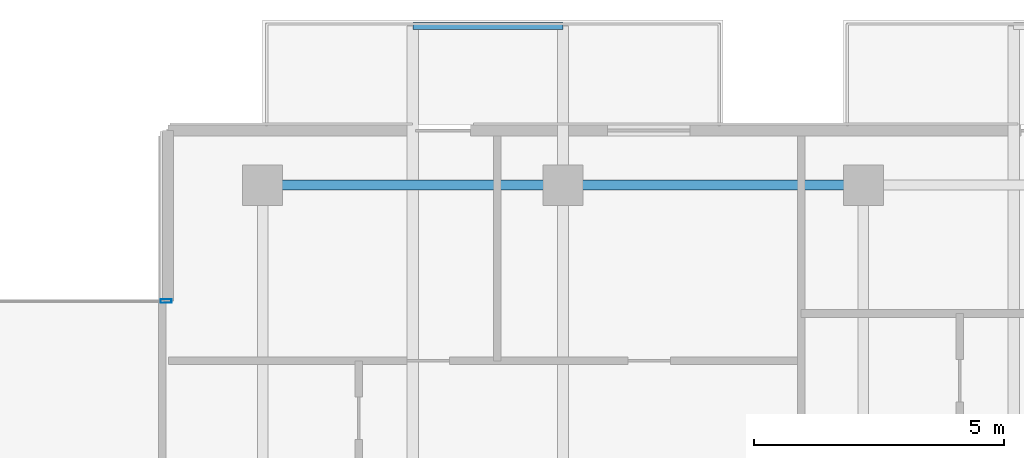
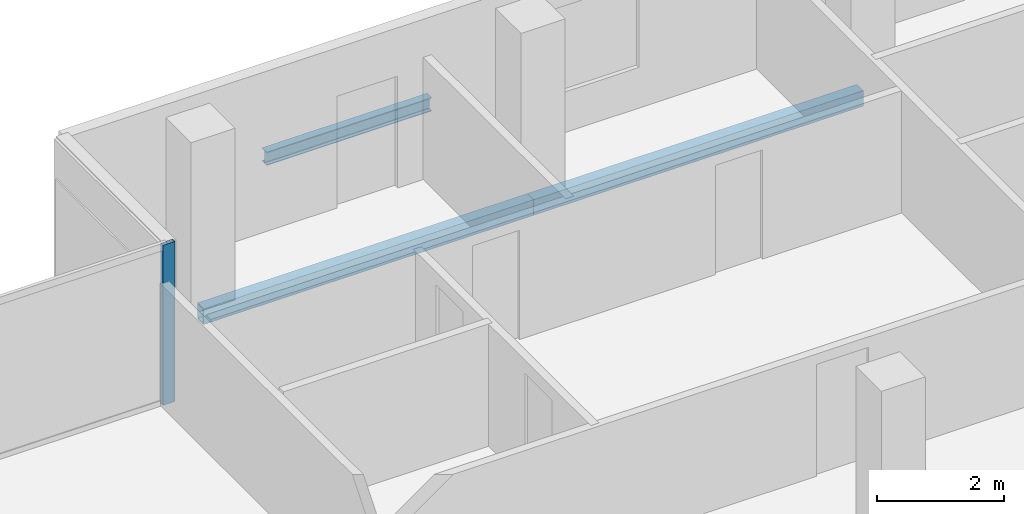
# One storey, part 12 of 28: 3 beams, 1 member, 1 element without a shape of its own.
"""IFC4 building model written with IfcOpenShell, lengths in metres."""

from ifc_helpers import new_model, si_unit, direction, frame, origin, origin_2d, place, context, subcontext, project, spatial, hollow_rectangle, i_section, extrude, material, layer, layer_set, material_profile, profile_set, type_object, element, aggregate, save


model = new_model("IFC4")

# Units and contexts
model_context = context("Model", 3, precision=1e-05, world=origin(), true_north=direction((0.0, 1.0)))
body_context = subcontext(model_context, "Body", "Model", "MODEL_VIEW")
ifc_project = project(units=[si_unit("LENGTHUNIT", "METRE"), si_unit("AREAUNIT", "SQUARE_METRE"), si_unit("VOLUMEUNIT", "CUBIC_METRE"), si_unit("PLANEANGLEUNIT", "RADIAN"), si_unit("MASSUNIT", "GRAM", prefix="KILO")], contexts=[model_context])

# Site, building, storey
site_placement = place(None, origin())
site = spatial("IfcSite", under=ifc_project, at=site_placement, CompositionType="ELEMENT")
building_placement = place(site_placement, origin())
building = spatial("IfcBuilding", under=site, at=building_placement, Name="Tanjung Sevakor Pilgrim Tower", CompositionType="ELEMENT")
storey_placement = place(building_placement, frame((0.0, 0.0, 185.1298828125)))
storey = spatial("IfcBuildingStorey", under=building, at=storey_placement, Name="L51", CompositionType="ELEMENT", Elevation=185.1298828125)

# Beams
ifc_material_1 = material(Name="Steel S355J2", Category="steel")
ifc_material_profile_1 = material_profile(ifc_material_1, i_section(OverallWidth=0.146484375, OverallDepth=0.256103515625, WebThickness=0.00634765625, FlangeThickness=0.010986328125, FilletRadius=0.007568359375, at=origin_2d()))
ifc_profile_set_1 = profile_set([ifc_material_profile_1], Name="Steel S355J2")
beam_type_1 = type_object("IfcBeamType", Name="BM-B-J6-UB_254x146x37", PredefinedType="JOIST", material=ifc_profile_set_1)
beam_placement = place(storey_placement, frame((57.0, 57.1298828125, -0.327880859375), z_axis=(1.0, 0.0, 0.0), x_axis=(0.0, 1.0, 0.0)))
element("IfcBeam", 1, at=beam_placement, inside=storey, type_object=beam_type_1, Name="L51 Balcony Rim Tie MAIN-N2", PredefinedType="JOIST", context=body_context, shape_type="SweptSolid", body=[
    extrude(i_section(OverallWidth=0.146484375, OverallDepth=0.256103515625, WebThickness=0.00634765625, FlangeThickness=0.010986328125, FilletRadius=0.007568359375, at=origin_2d()), origin(), (0.0, 0.0, 1.0), 3.0),
])
ifc_material_2 = material(Name="Steel S355J2", Category="steel")
ifc_material_profile_2 = material_profile(ifc_material_2, hollow_rectangle(XDim=0.199951171875, YDim=0.300048828125, WallThickness=0.012451171875, at=origin_2d()))
ifc_profile_set_2 = profile_set([ifc_material_profile_2], Name="Steel S355J2")
beam_type_2 = type_object("IfcBeamType", Name="BM-B-SP3-RHS_300x200x12.5", PredefinedType="SPANDREL", material=ifc_profile_set_2)
for number, where, z_axis, x_axis, name in (
    (2, (54.0, 53.949951171875, -0.369873046875), (1.0, 0.0, 0.0), (0.0, 1.0, 0.0), "L51 Spandrel MAIN N-06"),
    (3, (60.0, 53.949951171875, -0.369873046875), (1.0, 0.0, 0.0), (0.0, 1.0, 0.0), "L51 Spandrel MAIN N-08"),
):
    element("IfcBeam", number, at=place(storey_placement, frame(where, z_axis=z_axis, x_axis=x_axis)), inside=storey, type_object=beam_type_2, Name=name, PredefinedType="SPANDREL", context=body_context, shape_type="SweptSolid", body=[
        extrude(hollow_rectangle(XDim=0.199951171875, YDim=0.300048828125, WallThickness=0.012451171875, at=origin_2d()), origin(), (0.0, 0.0, 1.0), 6.0),
    ])

# Curtain wall, member
ifc_material_3 = material(Name="Aluminium 6063-T6 and Low-E Glass", Category="aluminium")
ifc_layer = layer(ifc_material_3, 0.179931640625)
ifc_layer_set = layer_set([ifc_layer], Name="CW-SYS-CLEFT")
curtain_wall_type = type_object("IfcCurtainWallType", Name="CW-SYS-CLEFT", PredefinedType="NOTDEFINED", material=ifc_layer_set)
curtain_wall_placement = place(storey_placement, origin())
curtain_wall = element("IfcCurtainWall", 4, at=curtain_wall_placement, inside=storey, type_object=curtain_wall_type, Name="L51 Curtain Wall CW-CLF-L51-10", PredefinedType="NOTDEFINED")
ifc_material_4 = material(Name="Aluminium 6063-T6", Category="aluminium")
ifc_material_profile_3 = material_profile(ifc_material_4, hollow_rectangle(XDim=0.074951171875, YDim=0.219970703125, WallThickness=0.0048828125, at=origin_2d()))
ifc_profile_set_3 = profile_set([ifc_material_profile_3], Name="Aluminium 6063-T6")
member_type = type_object("IfcMemberType", Name="TYPE-CWM-2", PredefinedType="MULLION", material=ifc_profile_set_3)
member_placement = place(storey_placement, frame((52.072509765625, 51.639892578125, 0.0), z_axis=(0.0, 0.0, 1.0), x_axis=(0.0, -1.0, 0.0)))
member = element("IfcMember", 5, at=member_placement, type_object=member_type, Name="CW-CLF mullion 1", PredefinedType="MULLION", context=body_context, shape_type="SweptSolid", body=[
    extrude(hollow_rectangle(XDim=0.074951171875, YDim=0.219970703125, WallThickness=0.0048828125, at=origin_2d()), origin(), (0.0, 0.0, 1.0), 3.080078125),
])
aggregate(curtain_wall, [member])

save(model, "model.ifc")
